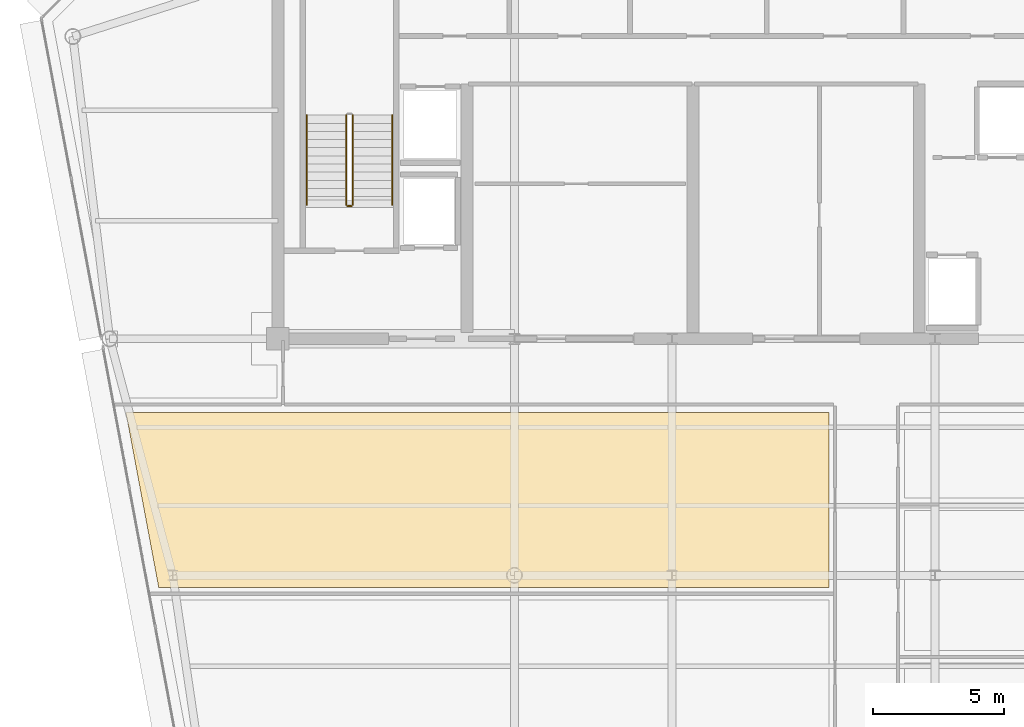
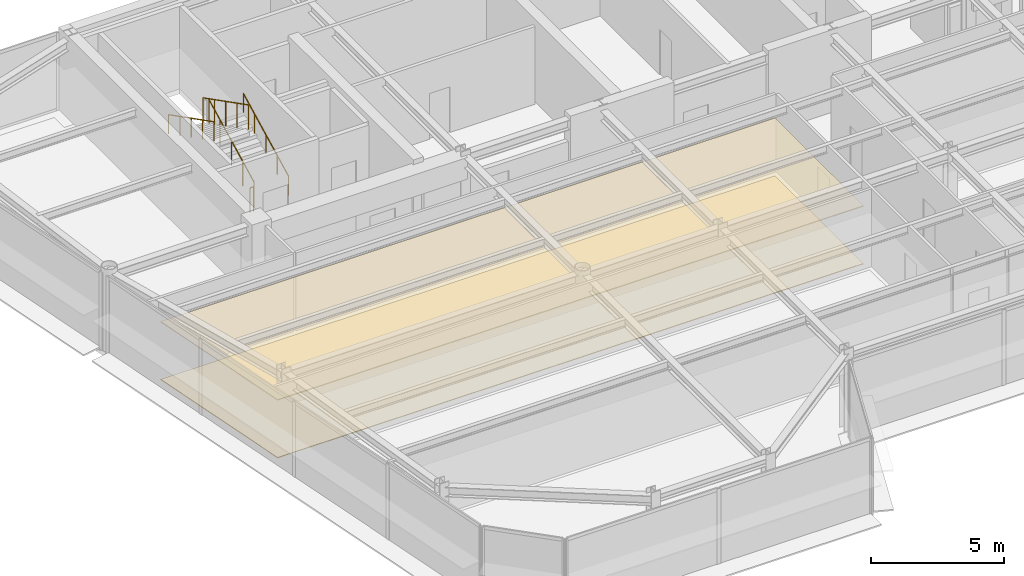
# One storey, part 15 of 20: 5 railings, 2 coverings.
"""IFC4 building model written with IfcOpenShell, lengths in metres."""

from ifc_helpers import new_model, si_unit, direction, frame, origin, origin_2d, place, context, subcontext, project, spatial, polyline, circle, outline, extrude, material, layer, layer_set, type_object, element, save


model = new_model("IFC4")

# Units and contexts
model_context = context("Model", 3, precision=1e-05, world=origin(), true_north=direction((0.0, 1.0)))
body_context = subcontext(model_context, "Body", "Model", "MODEL_VIEW")
ifc_project = project(units=[si_unit("LENGTHUNIT", "METRE"), si_unit("AREAUNIT", "SQUARE_METRE"), si_unit("VOLUMEUNIT", "CUBIC_METRE"), si_unit("PLANEANGLEUNIT", "RADIAN"), si_unit("MASSUNIT", "GRAM", prefix="KILO")], contexts=[model_context])

# Site, building, storey
site_placement = place(None, origin())
site = spatial("IfcSite", under=ifc_project, at=site_placement, CompositionType="ELEMENT")
building_placement = place(site_placement, origin())
building = spatial("IfcBuilding", under=site, at=building_placement, Name="Vaeldorn Concourse Tower", CompositionType="ELEMENT")
storey_placement = place(building_placement, frame((0.0, 0.0, 280.199951171875)))
storey = spatial("IfcBuildingStorey", under=building, at=storey_placement, Name="L72", CompositionType="ELEMENT", Elevation=280.199951171875)

# Coverings
ifc_material_1 = material(Name="Acoustic Mineral Fibre Board", Category="gypsum")
ifc_layer_1 = layer(ifc_material_1, 0.0400390625)
ifc_layer_set_1 = layer_set([ifc_layer_1], Name="Acoustic Mineral Fibre Board")
covering_type_1 = type_object("IfcCoveringType", Name="COV-CEIL-ACOUSTIC", PredefinedType="CEILING", material=ifc_layer_set_1)
covering_1_placement = place(storey_placement, frame((0.0, 0.0, 2.650146484375)))
element("IfcCovering", 1, at=covering_1_placement, inside=storey, type_object=covering_type_1, Name="Suspended Acoustic Ceiling L72-7", PredefinedType="CEILING", context=body_context, shape_type="SweptSolid", body=[
    extrude(outline(polyline([(34.9599609375, 33.699951171875), (34.9599609375, 27.0400390625), (9.46728515625, 27.0400390625), (8.21875, 33.699951171875), (34.9599609375, 33.699951171875)])), origin(), (0.0, 0.0, 1.0), 0.039794921875),
])
ifc_material_2 = material(Name="Honed Limestone Terrazzo Flooring", Category="masonry")
ifc_layer_2 = layer(ifc_material_2, 0.0400390625)
ifc_layer_set_2 = layer_set([ifc_layer_2], Name="Honed Limestone Terrazzo Flooring")
covering_type_2 = type_object("IfcCoveringType", Name="COV-FLOOR-STONE", PredefinedType="FLOORING", material=ifc_layer_set_2)
covering_2_placement = place(storey_placement, origin())
element("IfcCovering", 2, at=covering_2_placement, inside=storey, type_object=covering_type_2, Name="Floor Finish Covering L72-7", PredefinedType="FLOORING", context=body_context, shape_type="SweptSolid", body=[
    extrude(outline(polyline([(34.9599609375, 33.699951171875), (34.9599609375, 27.0400390625), (9.46728515625, 27.0400390625), (8.21875, 33.699951171875), (34.9599609375, 33.699951171875)])), origin(), (0.0, 0.0, 1.0), 0.030029296875),
])

# Railings
ifc_material_3 = material(Name="Anodised Bronze Aluminium", Category="aluminium")
railing_type_1 = type_object("IfcRailingType", Name="RL-STAIR-GUARD", PredefinedType="GUARDRAIL", material=ifc_material_3)
railing_1_placement = place(storey_placement, frame((16.85009765625, 41.60009765625, 0.158447265625)))
element("IfcRailing", 3, at=railing_1_placement, inside=storey, type_object=railing_type_1, Name="L72 ST-1 stair guard 1", PredefinedType="GUARDRAIL", context=body_context, shape_type="SweptSolid", body=[
    extrude(circle(Radius=0.02392578125, at=origin_2d()), frame((0.0, 0.0, 1.1259765625), z_axis=(0.0, 0.890555807335, 0.454873997962), x_axis=(-1.0, 0.0, 0.0)), (0.0, 0.0, 1.0), 3.828857421875),
    extrude(circle(Radius=0.02099609375, at=origin_2d()), origin(), (0.0, 0.0, 1.0), 1.101806640625),
    extrude(circle(Radius=0.02099609375, at=origin_2d()), frame((0.0, 0.8525390625, 0.435546875)), (0.0, 0.0, 1.0), 1.101806640625),
    extrude(circle(Radius=0.02099609375, at=origin_2d()), frame((0.0, 1.705078125, 0.870849609375)), (0.0, 0.0, 1.0), 1.101806640625),
    extrude(circle(Radius=0.02099609375, at=origin_2d()), frame((0.0, 2.557373046875, 1.30615234375)), (0.0, 0.0, 1.0), 1.101806640625),
    extrude(circle(Radius=0.02099609375, at=origin_2d()), frame((0.0, 3.409912109375, 1.74169921875)), (0.0, 0.0, 1.0), 1.101806640625),
])
railing_2_placement = place(storey_placement, frame((16.60009765625, 45.010009765625, 2.058349609375)))
element("IfcRailing", 4, at=railing_2_placement, inside=storey, type_object=railing_type_1, Name="L72 ST-1 stair guard 3", PredefinedType="GUARDRAIL", context=body_context, shape_type="SweptSolid", body=[
    extrude(circle(Radius=0.02392578125, at=origin_2d()), frame((0.0, 0.0, 1.1259765625), z_axis=(0.0, -0.890555807335, 0.454873997962), x_axis=(1.0, 0.0, 0.0)), (0.0, 0.0, 1.0), 3.828857421875),
    extrude(circle(Radius=0.02099609375, at=origin_2d()), origin(), (0.0, 0.0, 1.0), 1.101806640625),
    extrude(circle(Radius=0.02099609375, at=origin_2d()), frame((0.0, -0.8525390625, 0.435546875)), (0.0, 0.0, 1.0), 1.101806640625),
    extrude(circle(Radius=0.02099609375, at=origin_2d()), frame((0.0, -1.705078125, 0.870849609375)), (0.0, 0.0, 1.0), 1.101806640625),
    extrude(circle(Radius=0.02099609375, at=origin_2d()), frame((0.0, -2.557373046875, 1.30615234375)), (0.0, 0.0, 1.0), 1.101806640625),
    extrude(circle(Radius=0.02099609375, at=origin_2d()), frame((0.0, -3.409912109375, 1.74169921875)), (0.0, 0.0, 1.0), 1.101806640625),
])
railing_3_placement = place(storey_placement, frame((16.800048828125, 41.550048828125, 0.0)))
element("IfcRailing", 5, at=railing_3_placement, inside=storey, type_object=railing_type_1, Name="L72 ST-1 stair guard 4", PredefinedType="GUARDRAIL", context=body_context, shape_type="SweptSolid", body=[
    extrude(circle(Radius=0.02392578125, at=origin_2d()), frame((0.0, 0.0, 1.1259765625), z_axis=(-1.0, 0.0, 0.0), x_axis=(0.0, -1.0, 0.0)), (0.0, 0.0, 1.0), 0.150146484375),
    extrude(circle(Radius=0.02099609375, at=origin_2d()), origin(), (0.0, 0.0, 1.0), 1.101806640625),
    extrude(circle(Radius=0.02099609375, at=origin_2d()), frame((-0.150146484375, 0.0, 0.0)), (0.0, 0.0, 1.0), 1.101806640625),
])
railing_type_2 = type_object("IfcRailingType", Name="RL-STAIR-HANDRAIL", PredefinedType="HANDRAIL", material=ifc_material_3)
railing_4_placement = place(storey_placement, frame((18.35009765625, 41.60009765625, 0.158447265625)))
element("IfcRailing", 6, at=railing_4_placement, inside=storey, type_object=railing_type_2, Name="L72 ST-1 stair handrail 1", PredefinedType="HANDRAIL", context=body_context, shape_type="SweptSolid", body=[
    extrude(circle(Radius=0.02392578125, at=origin_2d()), frame((0.0, 0.0, 0.8759765625), z_axis=(0.0, 0.890555807335, 0.454873997962), x_axis=(-1.0, 0.0, 0.0)), (0.0, 0.0, 1.0), 3.828857421875),
    extrude(circle(Radius=0.02099609375, at=origin_2d()), origin(), (0.0, 0.0, 1.0), 0.851806640625),
    extrude(circle(Radius=0.02099609375, at=origin_2d()), frame((0.0, 0.8525390625, 0.435546875)), (0.0, 0.0, 1.0), 0.851806640625),
    extrude(circle(Radius=0.02099609375, at=origin_2d()), frame((0.0, 1.705078125, 0.870849609375)), (0.0, 0.0, 1.0), 0.851806640625),
    extrude(circle(Radius=0.02099609375, at=origin_2d()), frame((0.0, 2.557373046875, 1.30615234375)), (0.0, 0.0, 1.0), 0.851806640625),
    extrude(circle(Radius=0.02099609375, at=origin_2d()), frame((0.0, 3.409912109375, 1.74169921875)), (0.0, 0.0, 1.0), 0.851806640625),
])
railing_5_placement = place(storey_placement, frame((15.10009765625, 45.010009765625, 2.058349609375)))
element("IfcRailing", 7, at=railing_5_placement, inside=storey, type_object=railing_type_2, Name="L72 ST-1 stair handrail 2", PredefinedType="HANDRAIL", context=body_context, shape_type="SweptSolid", body=[
    extrude(circle(Radius=0.02392578125, at=origin_2d()), frame((0.0, 0.0, 0.8759765625), z_axis=(0.0, -0.890555807335, 0.454873997962), x_axis=(1.0, 0.0, 0.0)), (0.0, 0.0, 1.0), 3.828857421875),
    extrude(circle(Radius=0.02099609375, at=origin_2d()), origin(), (0.0, 0.0, 1.0), 0.851806640625),
    extrude(circle(Radius=0.02099609375, at=origin_2d()), frame((0.0, -0.8525390625, 0.435546875)), (0.0, 0.0, 1.0), 0.851806640625),
    extrude(circle(Radius=0.02099609375, at=origin_2d()), frame((0.0, -1.705078125, 0.870849609375)), (0.0, 0.0, 1.0), 0.851806640625),
    extrude(circle(Radius=0.02099609375, at=origin_2d()), frame((0.0, -2.557373046875, 1.30615234375)), (0.0, 0.0, 1.0), 0.851806640625),
    extrude(circle(Radius=0.02099609375, at=origin_2d()), frame((0.0, -3.409912109375, 1.74169921875)), (0.0, 0.0, 1.0), 0.851806640625),
])

save(model, "model.ifc")
